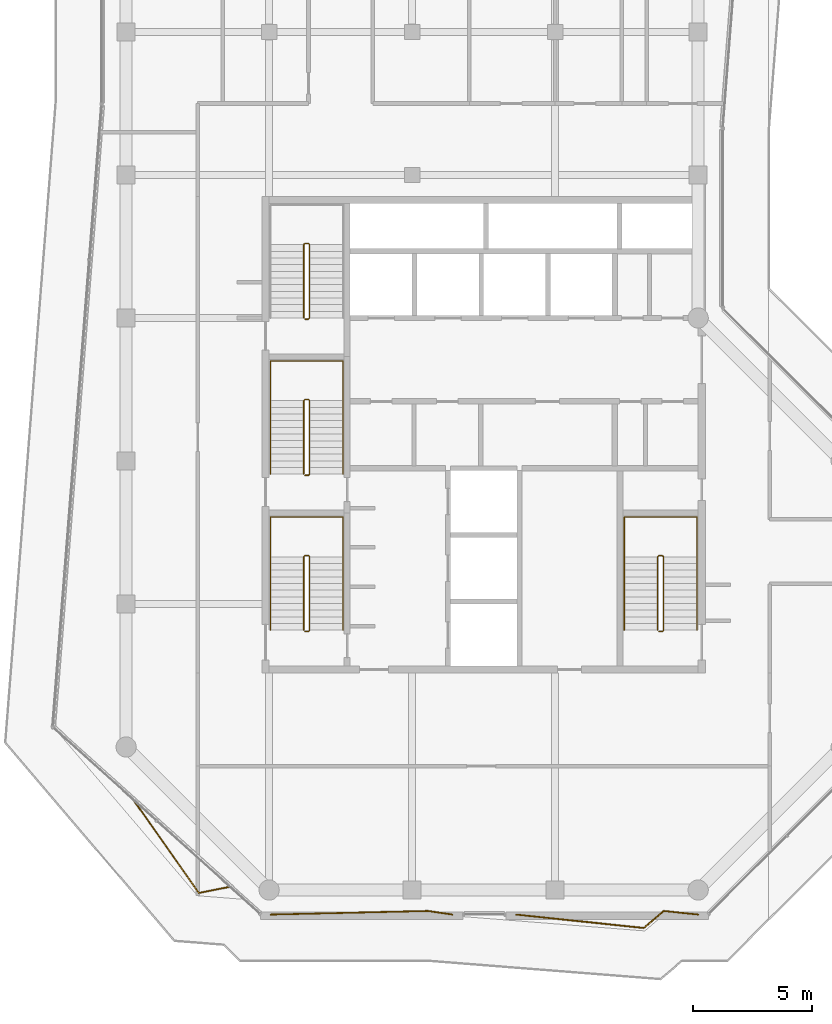
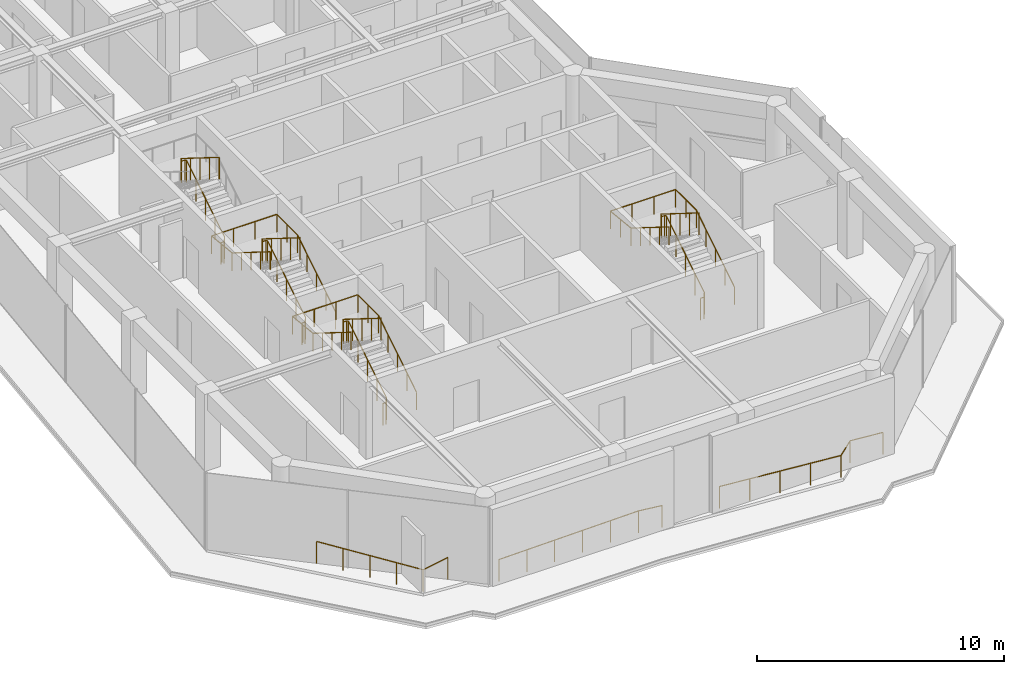
# One storey, part 21 of 22: 10 railings.
"""IFC4 building model written with IfcOpenShell, lengths in metres."""

from ifc_helpers import new_model, si_unit, direction, frame, origin, origin_2d, place, context, subcontext, project, spatial, circle, extrude, material, type_object, element, save


model = new_model("IFC4")

# Units and contexts
model_context = context("Model", 3, precision=1e-05, world=origin(), true_north=direction((0.0, 1.0)))
body_context = subcontext(model_context, "Body", "Model", "MODEL_VIEW")
ifc_project = project(units=[si_unit("LENGTHUNIT", "METRE"), si_unit("AREAUNIT", "SQUARE_METRE"), si_unit("VOLUMEUNIT", "CUBIC_METRE"), si_unit("PLANEANGLEUNIT", "RADIAN"), si_unit("MASSUNIT", "GRAM", prefix="KILO")], contexts=[model_context])

# Site, building, storey
site_placement = place(None, origin())
site = spatial("IfcSite", under=ifc_project, at=site_placement, CompositionType="ELEMENT")
building_placement = place(site_placement, origin())
building = spatial("IfcBuilding", under=site, at=building_placement, Name="Welwitschia Terrace Campus", CompositionType="ELEMENT")
storey_placement = place(building_placement, frame((0.0, 0.0, 268.39990234375)))
storey = spatial("IfcBuildingStorey", under=building, at=storey_placement, Name="L59", CompositionType="ELEMENT", Elevation=268.39990234375)

# Railings
ifc_material_1 = material(Name="Stainless steel grade 316", Category="steel")
railing_type_1 = type_object("IfcRailingType", Name="Guard 1100", PredefinedType="GUARDRAIL", material=ifc_material_1)
railing_1_placement = place(storey_placement, frame((4.349609375, -3.867431640625, 0.0)))
element("IfcRailing", 1, at=railing_1_placement, inside=storey, type_object=railing_type_1, Name="Guard floor edge L59.1", PredefinedType="GUARDRAIL", context=body_context, shape_type="SweptSolid", body=[
    extrude(circle(Radius=0.02392578125, at=origin_2d()), frame((0.0, 0.0, 1.076171875), z_axis=(-0.981137142736, -0.193312977174, 0.0), x_axis=(0.193312977174, -0.981137142736, 0.0)), (0.0, 0.0, 1.0), 1.323486328125),
    extrude(circle(Radius=0.02392578125, at=origin_2d()), frame((-1.298583984375, -0.255859375, 1.076171875), z_axis=(-0.575272240277, 0.817962009855, 0.0), x_axis=(-0.817962009855, -0.575272240277, 0.0)), (0.0, 0.0, 1.0), 4.75830078125),
    extrude(circle(Radius=0.02099609375, at=origin_2d()), origin(), (0.0, 0.0, 1.0), 1.052001953125),
    extrude(circle(Radius=0.02099609375, at=origin_2d()), frame((-1.298583984375, -0.255859375, 0.0)), (0.0, 0.0, 1.0), 1.052001953125),
    extrude(circle(Radius=0.02099609375, at=origin_2d()), frame((-1.98291015625, 0.71728515625, 0.0)), (0.0, 0.0, 1.0), 1.052001953125),
    extrude(circle(Radius=0.02099609375, at=origin_2d()), frame((-2.667236328125, 1.690185546875, 0.0)), (0.0, 0.0, 1.0), 1.052001953125),
    extrude(circle(Radius=0.02099609375, at=origin_2d()), frame((-3.3515625, 2.6630859375, 0.0)), (0.0, 0.0, 1.0), 1.052001953125),
    extrude(circle(Radius=0.02099609375, at=origin_2d()), frame((-4.035888671875, 3.63623046875, 0.0)), (0.0, 0.0, 1.0), 1.052001953125),
])
railing_2_placement = place(storey_placement, frame((13.689208984375, -5.030029296875, 0.0)))
element("IfcRailing", 2, at=railing_2_placement, inside=storey, type_object=railing_type_1, Name="Guard floor edge L59.2", PredefinedType="GUARDRAIL", context=body_context, shape_type="SweptSolid", body=[
    extrude(circle(Radius=0.02392578125, at=origin_2d()), frame((0.0, 0.0, 1.076171875), z_axis=(-0.989404064902, 0.145188141235, 0.0), x_axis=(-0.145188141235, -0.989404064902, 0.0)), (0.0, 0.0, 1.0), 1.0341796875),
    extrude(circle(Radius=0.02392578125, at=origin_2d()), frame((-1.023193359375, 0.150146484375, 1.076171875), z_axis=(-0.999741491879, -0.022736521615, 0.0), x_axis=(0.022736521615, -0.999741491879, 0.0)), (0.0, 0.0, 1.0), 6.603759765625),
    extrude(circle(Radius=0.02099609375, at=origin_2d()), origin(), (0.0, 0.0, 1.0), 1.052001953125),
    extrude(circle(Radius=0.02099609375, at=origin_2d()), frame((-1.023193359375, 0.150146484375, 0.0)), (0.0, 0.0, 1.0), 1.052001953125),
    extrude(circle(Radius=0.02099609375, at=origin_2d()), frame((-2.343505859375, 0.1201171875, 0.0)), (0.0, 0.0, 1.0), 1.052001953125),
    extrude(circle(Radius=0.02099609375, at=origin_2d()), frame((-3.6640625, 0.090087890625, 0.0)), (0.0, 0.0, 1.0), 1.052001953125),
    extrude(circle(Radius=0.02099609375, at=origin_2d()), frame((-4.984375, 0.06005859375, 0.0)), (0.0, 0.0, 1.0), 1.052001953125),
    extrude(circle(Radius=0.02099609375, at=origin_2d()), frame((-6.304931640625, 0.030029296875, 0.0)), (0.0, 0.0, 1.0), 1.052001953125),
    extrude(circle(Radius=0.02099609375, at=origin_2d()), frame((-7.625244140625, 0.0, 0.0)), (0.0, 0.0, 1.0), 1.052001953125),
])
railing_3_placement = place(storey_placement, frame((24.0029296875, -5.030029296875, 0.0)))
element("IfcRailing", 3, at=railing_3_placement, inside=storey, type_object=railing_type_1, Name="Guard floor edge L59.4", PredefinedType="GUARDRAIL", context=body_context, shape_type="SweptSolid", body=[
    extrude(circle(Radius=0.02392578125, at=origin_2d()), frame((0.0, 0.0, 1.076171875), z_axis=(-0.994652604012, 0.103277283719, 0.0), x_axis=(-0.103277283719, -0.994652604012, 0.0)), (0.0, 0.0, 1.0), 1.453857421875),
    extrude(circle(Radius=0.02392578125, at=origin_2d()), frame((-1.446044921875, 0.150146484375, 1.076171875), z_axis=(-0.76032332533, -0.649544795191, 0.0), x_axis=(0.649544795191, -0.76032332533, 0.0)), (0.0, 0.0, 1.0), 1.097412109375),
    extrude(circle(Radius=0.02392578125, at=origin_2d()), frame((-2.280517578125, -0.562744140625, 1.076171875), z_axis=(-0.99453790908, 0.104375990549, 0.0), x_axis=(-0.104375990549, -0.99453790908, 0.0)), (0.0, 0.0, 1.0), 5.3916015625),
    extrude(circle(Radius=0.02099609375, at=origin_2d()), origin(), (0.0, 0.0, 1.0), 1.052001953125),
    extrude(circle(Radius=0.02099609375, at=origin_2d()), frame((-1.446044921875, 0.150146484375, 0.0)), (0.0, 0.0, 1.0), 1.052001953125),
    extrude(circle(Radius=0.02099609375, at=origin_2d()), frame((-2.280517578125, -0.562744140625, 0.0)), (0.0, 0.0, 1.0), 1.052001953125),
    extrude(circle(Radius=0.02099609375, at=origin_2d()), frame((-3.62109375, -0.422119140625, 0.0)), (0.0, 0.0, 1.0), 1.052001953125),
    extrude(circle(Radius=0.02099609375, at=origin_2d()), frame((-4.96142578125, -0.28125, 0.0)), (0.0, 0.0, 1.0), 1.052001953125),
    extrude(circle(Radius=0.02099609375, at=origin_2d()), frame((-6.302001953125, -0.140625, 0.0)), (0.0, 0.0, 1.0), 1.052001953125),
    extrude(circle(Radius=0.02099609375, at=origin_2d()), frame((-7.642578125, 0.0, 0.0)), (0.0, 0.0, 1.0), 1.052001953125),
])
ifc_material_2 = material(Name="Steel S355", Category="steel")
railing_type_2 = type_object("IfcRailingType", Name="Stair guard 1100", PredefinedType="GUARDRAIL", material=ifc_material_2)
railing_4_placement = place(storey_placement, frame((7.5, 6.85009765625, 0.0)))
element("IfcRailing", 4, at=railing_4_placement, inside=storey, type_object=railing_type_2, Name="L59 S1 stair guard", PredefinedType="GUARDRAIL", context=body_context, shape_type="SweptSolid", body=[
    extrude(circle(Radius=0.02392578125, at=origin_2d()), frame((0.0, 0.0, 1.076171875), z_axis=(1.0, 0.0, 0.0), x_axis=(0.0, 1.0, 0.0)), (0.0, 0.0, 1.0), 0.14990234375),
    extrude(circle(Radius=0.02392578125, at=origin_2d()), frame((0.14990234375, 0.0, 1.076171875), z_axis=(0.265155923931, 0.263862480399, 0.927399011991), x_axis=(-0.705375805398, 0.708833529934, 0.0)), (0.0, 0.0, 1.0), 0.188720703125),
    extrude(circle(Radius=0.02392578125, at=origin_2d()), frame((0.199951171875, 0.0498046875, 1.2509765625), z_axis=(0.0, 0.847998304005, 0.529998940003), x_axis=(-1.0, 0.0, 0.0)), (0.0, 0.0, 1.0), 3.632080078125),
    extrude(circle(Radius=0.02392578125, at=origin_2d()), frame((0.199951171875, 3.1298828125, 3.17626953125), z_axis=(-0.707106781187, 0.707106781187, 0.0), x_axis=(-0.707106781187, -0.707106781187, 0.0)), (0.0, 0.0, 1.0), 0.07080078125),
    extrude(circle(Radius=0.02392578125, at=origin_2d()), frame((0.14990234375, 3.179931640625, 3.17626953125), z_axis=(-1.0, 0.0, 0.0), x_axis=(0.0, -1.0, 0.0)), (0.0, 0.0, 1.0), 0.14990234375),
    extrude(circle(Radius=0.02392578125, at=origin_2d()), frame((0.0, 3.179931640625, 3.17626953125), z_axis=(-0.265065253269, -0.265065253269, 0.927081885822), x_axis=(0.707106781187, -0.707106781187, 0.0)), (0.0, 0.0, 1.0), 0.188720703125),
    extrude(circle(Radius=0.02392578125, at=origin_2d()), frame((-0.050048828125, 3.1298828125, 3.35107421875), z_axis=(0.0, -0.847998304005, 0.529998940003), x_axis=(1.0, 0.0, 0.0)), (0.0, 0.0, 1.0), 3.632080078125),
    extrude(circle(Radius=0.02099609375, at=origin_2d()), origin(), (0.0, 0.0, 1.0), 1.052001953125),
    extrude(circle(Radius=0.02099609375, at=origin_2d()), frame((0.14990234375, 0.0, 0.0)), (0.0, 0.0, 1.0), 1.052001953125),
    extrude(circle(Radius=0.02099609375, at=origin_2d()), frame((0.199951171875, 0.0498046875, 0.175048828125)), (0.0, 0.0, 1.0), 1.052001953125),
    extrude(circle(Radius=0.02099609375, at=origin_2d()), frame((0.199951171875, 0.81982421875, 0.65625)), (0.0, 0.0, 1.0), 1.052001953125),
    extrude(circle(Radius=0.02099609375, at=origin_2d()), frame((0.199951171875, 1.58984375, 1.1376953125)), (0.0, 0.0, 1.0), 1.052001953125),
    extrude(circle(Radius=0.02099609375, at=origin_2d()), frame((0.199951171875, 2.35986328125, 1.618896484375)), (0.0, 0.0, 1.0), 1.052001953125),
    extrude(circle(Radius=0.02099609375, at=origin_2d()), frame((0.199951171875, 3.1298828125, 2.10009765625)), (0.0, 0.0, 1.0), 1.052001953125),
    extrude(circle(Radius=0.02099609375, at=origin_2d()), frame((0.14990234375, 3.179931640625, 2.10009765625)), (0.0, 0.0, 1.0), 1.052001953125),
    extrude(circle(Radius=0.02099609375, at=origin_2d()), frame((0.0, 3.179931640625, 2.10009765625)), (0.0, 0.0, 1.0), 1.052001953125),
    extrude(circle(Radius=0.02099609375, at=origin_2d()), frame((-0.050048828125, 3.1298828125, 2.275146484375)), (0.0, 0.0, 1.0), 1.052001953125),
    extrude(circle(Radius=0.02099609375, at=origin_2d()), frame((-0.050048828125, 2.35986328125, 2.75634765625)), (0.0, 0.0, 1.0), 1.052001953125),
    extrude(circle(Radius=0.02099609375, at=origin_2d()), frame((-0.050048828125, 1.58984375, 3.23779296875)), (0.0, 0.0, 1.0), 1.052001953125),
    extrude(circle(Radius=0.02099609375, at=origin_2d()), frame((-0.050048828125, 0.81982421875, 3.718994140625)), (0.0, 0.0, 1.0), 1.052001953125),
    extrude(circle(Radius=0.02099609375, at=origin_2d()), frame((-0.050048828125, 0.0498046875, 4.2001953125)), (0.0, 0.0, 1.0), 1.052001953125),
])
railing_5_placement = place(storey_placement, frame((7.5, 13.39990234375, 0.0)))
element("IfcRailing", 5, at=railing_5_placement, inside=storey, type_object=railing_type_2, Name="L59 S3 stair guard", PredefinedType="GUARDRAIL", context=body_context, shape_type="SweptSolid", body=[
    extrude(circle(Radius=0.02392578125, at=origin_2d()), frame((0.0, 0.0, 1.076171875), z_axis=(1.0, 0.0, 0.0), x_axis=(0.0, 1.0, 0.0)), (0.0, 0.0, 1.0), 0.14990234375),
    extrude(circle(Radius=0.02392578125, at=origin_2d()), frame((0.14990234375, 0.0, 1.076171875), z_axis=(0.265065253269, 0.265065253269, 0.927081885822), x_axis=(-0.707106781187, 0.707106781187, 0.0)), (0.0, 0.0, 1.0), 0.188720703125),
    extrude(circle(Radius=0.02392578125, at=origin_2d()), frame((0.199951171875, 0.050048828125, 1.2509765625), z_axis=(0.0, 0.847998304005, 0.529998940003), x_axis=(-1.0, 0.0, 0.0)), (0.0, 0.0, 1.0), 3.632080078125),
    extrude(circle(Radius=0.02392578125, at=origin_2d()), frame((0.199951171875, 3.130126953125, 3.17626953125), z_axis=(-0.707106781187, 0.707106781187, 0.0), x_axis=(-0.707106781187, -0.707106781187, 0.0)), (0.0, 0.0, 1.0), 0.07080078125),
    extrude(circle(Radius=0.02392578125, at=origin_2d()), frame((0.14990234375, 3.18017578125, 3.17626953125), z_axis=(-1.0, 0.0, 0.0), x_axis=(0.0, -1.0, 0.0)), (0.0, 0.0, 1.0), 0.14990234375),
    extrude(circle(Radius=0.02392578125, at=origin_2d()), frame((0.0, 3.18017578125, 3.17626953125), z_axis=(-0.265065253269, -0.265065253269, 0.927081885822), x_axis=(0.707106781187, -0.707106781187, 0.0)), (0.0, 0.0, 1.0), 0.188720703125),
    extrude(circle(Radius=0.02392578125, at=origin_2d()), frame((-0.050048828125, 3.130126953125, 3.35107421875), z_axis=(0.0, -0.847998304005, 0.529998940003), x_axis=(1.0, 0.0, 0.0)), (0.0, 0.0, 1.0), 3.632080078125),
    extrude(circle(Radius=0.02099609375, at=origin_2d()), origin(), (0.0, 0.0, 1.0), 1.052001953125),
    extrude(circle(Radius=0.02099609375, at=origin_2d()), frame((0.14990234375, 0.0, 0.0)), (0.0, 0.0, 1.0), 1.052001953125),
    extrude(circle(Radius=0.02099609375, at=origin_2d()), frame((0.199951171875, 0.050048828125, 0.175048828125)), (0.0, 0.0, 1.0), 1.052001953125),
    extrude(circle(Radius=0.02099609375, at=origin_2d()), frame((0.199951171875, 0.820068359375, 0.65625)), (0.0, 0.0, 1.0), 1.052001953125),
    extrude(circle(Radius=0.02099609375, at=origin_2d()), frame((0.199951171875, 1.590087890625, 1.1376953125)), (0.0, 0.0, 1.0), 1.052001953125),
    extrude(circle(Radius=0.02099609375, at=origin_2d()), frame((0.199951171875, 2.360107421875, 1.618896484375)), (0.0, 0.0, 1.0), 1.052001953125),
    extrude(circle(Radius=0.02099609375, at=origin_2d()), frame((0.199951171875, 3.130126953125, 2.10009765625)), (0.0, 0.0, 1.0), 1.052001953125),
    extrude(circle(Radius=0.02099609375, at=origin_2d()), frame((0.14990234375, 3.18017578125, 2.10009765625)), (0.0, 0.0, 1.0), 1.052001953125),
    extrude(circle(Radius=0.02099609375, at=origin_2d()), frame((0.0, 3.18017578125, 2.10009765625)), (0.0, 0.0, 1.0), 1.052001953125),
    extrude(circle(Radius=0.02099609375, at=origin_2d()), frame((-0.050048828125, 3.130126953125, 2.275146484375)), (0.0, 0.0, 1.0), 1.052001953125),
    extrude(circle(Radius=0.02099609375, at=origin_2d()), frame((-0.050048828125, 2.360107421875, 2.75634765625)), (0.0, 0.0, 1.0), 1.052001953125),
    extrude(circle(Radius=0.02099609375, at=origin_2d()), frame((-0.050048828125, 1.590087890625, 3.23779296875)), (0.0, 0.0, 1.0), 1.052001953125),
    extrude(circle(Radius=0.02099609375, at=origin_2d()), frame((-0.050048828125, 0.820068359375, 3.718994140625)), (0.0, 0.0, 1.0), 1.052001953125),
    extrude(circle(Radius=0.02099609375, at=origin_2d()), frame((-0.050048828125, 0.050048828125, 4.2001953125)), (0.0, 0.0, 1.0), 1.052001953125),
])
railing_6_placement = place(storey_placement, frame((7.5, 19.949951171875, 0.0)))
element("IfcRailing", 6, at=railing_6_placement, inside=storey, type_object=railing_type_2, Name="L59 S4 stair guard", PredefinedType="GUARDRAIL", context=body_context, shape_type="SweptSolid", body=[
    extrude(circle(Radius=0.02392578125, at=origin_2d()), frame((0.0, 0.0, 1.076171875), z_axis=(1.0, 0.0, 0.0), x_axis=(0.0, 1.0, 0.0)), (0.0, 0.0, 1.0), 0.14990234375),
    extrude(circle(Radius=0.02392578125, at=origin_2d()), frame((0.14990234375, 0.0, 1.076171875), z_axis=(0.265065253269, 0.265065253269, 0.927081885822), x_axis=(-0.707106781187, 0.707106781187, 0.0)), (0.0, 0.0, 1.0), 0.188720703125),
    extrude(circle(Radius=0.02392578125, at=origin_2d()), frame((0.199951171875, 0.050048828125, 1.2509765625), z_axis=(0.0, 0.847998304005, 0.529998940003), x_axis=(-1.0, 0.0, 0.0)), (0.0, 0.0, 1.0), 3.632080078125),
    extrude(circle(Radius=0.02392578125, at=origin_2d()), frame((0.199951171875, 3.130126953125, 3.17626953125), z_axis=(-0.708833529934, 0.705375805398, 0.0), x_axis=(-0.705375805398, -0.708833529934, 0.0)), (0.0, 0.0, 1.0), 0.070556640625),
    extrude(circle(Radius=0.02392578125, at=origin_2d()), frame((0.14990234375, 3.179931640625, 3.17626953125), z_axis=(-1.0, 0.0, 0.0), x_axis=(0.0, -1.0, 0.0)), (0.0, 0.0, 1.0), 0.14990234375),
    extrude(circle(Radius=0.02392578125, at=origin_2d()), frame((0.0, 3.179931640625, 3.17626953125), z_axis=(-0.265155923931, -0.263862480399, 0.927399011991), x_axis=(0.705375805398, -0.708833529934, 0.0)), (0.0, 0.0, 1.0), 0.188720703125),
    extrude(circle(Radius=0.02392578125, at=origin_2d()), frame((-0.050048828125, 3.130126953125, 3.35107421875), z_axis=(0.0, -0.847998304005, 0.529998940003), x_axis=(1.0, 0.0, 0.0)), (0.0, 0.0, 1.0), 3.632080078125),
    extrude(circle(Radius=0.02099609375, at=origin_2d()), origin(), (0.0, 0.0, 1.0), 1.052001953125),
    extrude(circle(Radius=0.02099609375, at=origin_2d()), frame((0.14990234375, 0.0, 0.0)), (0.0, 0.0, 1.0), 1.052001953125),
    extrude(circle(Radius=0.02099609375, at=origin_2d()), frame((0.199951171875, 0.050048828125, 0.175048828125)), (0.0, 0.0, 1.0), 1.052001953125),
    extrude(circle(Radius=0.02099609375, at=origin_2d()), frame((0.199951171875, 0.820068359375, 0.65625)), (0.0, 0.0, 1.0), 1.052001953125),
    extrude(circle(Radius=0.02099609375, at=origin_2d()), frame((0.199951171875, 1.590087890625, 1.1376953125)), (0.0, 0.0, 1.0), 1.052001953125),
    extrude(circle(Radius=0.02099609375, at=origin_2d()), frame((0.199951171875, 2.360107421875, 1.618896484375)), (0.0, 0.0, 1.0), 1.052001953125),
    extrude(circle(Radius=0.02099609375, at=origin_2d()), frame((0.199951171875, 3.130126953125, 2.10009765625)), (0.0, 0.0, 1.0), 1.052001953125),
    extrude(circle(Radius=0.02099609375, at=origin_2d()), frame((0.14990234375, 3.179931640625, 2.10009765625)), (0.0, 0.0, 1.0), 1.052001953125),
    extrude(circle(Radius=0.02099609375, at=origin_2d()), frame((0.0, 3.179931640625, 2.10009765625)), (0.0, 0.0, 1.0), 1.052001953125),
    extrude(circle(Radius=0.02099609375, at=origin_2d()), frame((-0.050048828125, 3.130126953125, 2.275146484375)), (0.0, 0.0, 1.0), 1.052001953125),
    extrude(circle(Radius=0.02099609375, at=origin_2d()), frame((-0.050048828125, 2.360107421875, 2.75634765625)), (0.0, 0.0, 1.0), 1.052001953125),
    extrude(circle(Radius=0.02099609375, at=origin_2d()), frame((-0.050048828125, 1.590087890625, 3.23779296875)), (0.0, 0.0, 1.0), 1.052001953125),
    extrude(circle(Radius=0.02099609375, at=origin_2d()), frame((-0.050048828125, 0.820068359375, 3.718994140625)), (0.0, 0.0, 1.0), 1.052001953125),
    extrude(circle(Radius=0.02099609375, at=origin_2d()), frame((-0.050048828125, 0.050048828125, 4.2001953125)), (0.0, 0.0, 1.0), 1.052001953125),
])
railing_7_placement = place(storey_placement, frame((22.35009765625, 6.85009765625, 0.0)))
element("IfcRailing", 7, at=railing_7_placement, inside=storey, type_object=railing_type_2, Name="L59 S2 stair guard", PredefinedType="GUARDRAIL", context=body_context, shape_type="SweptSolid", body=[
    extrude(circle(Radius=0.02392578125, at=origin_2d()), frame((0.0, 0.0, 1.076171875), z_axis=(1.0, 0.0, 0.0), x_axis=(0.0, 1.0, 0.0)), (0.0, 0.0, 1.0), 0.14990234375),
    extrude(circle(Radius=0.02392578125, at=origin_2d()), frame((0.14990234375, 0.0, 1.076171875), z_axis=(0.265155923931, 0.263862480399, 0.927399011991), x_axis=(-0.705375805398, 0.708833529934, 0.0)), (0.0, 0.0, 1.0), 0.188720703125),
    extrude(circle(Radius=0.02392578125, at=origin_2d()), frame((0.199951171875, 0.0498046875, 1.2509765625), z_axis=(0.0, 0.847998304005, 0.529998940003), x_axis=(-1.0, 0.0, 0.0)), (0.0, 0.0, 1.0), 3.632080078125),
    extrude(circle(Radius=0.02392578125, at=origin_2d()), frame((0.199951171875, 3.1298828125, 3.17626953125), z_axis=(-0.707106781187, 0.707106781187, 0.0), x_axis=(-0.707106781187, -0.707106781187, 0.0)), (0.0, 0.0, 1.0), 0.07080078125),
    extrude(circle(Radius=0.02392578125, at=origin_2d()), frame((0.14990234375, 3.179931640625, 3.17626953125), z_axis=(-1.0, 0.0, 0.0), x_axis=(0.0, -1.0, 0.0)), (0.0, 0.0, 1.0), 0.14990234375),
    extrude(circle(Radius=0.02392578125, at=origin_2d()), frame((0.0, 3.179931640625, 3.17626953125), z_axis=(-0.265065253269, -0.265065253269, 0.927081885822), x_axis=(0.707106781187, -0.707106781187, 0.0)), (0.0, 0.0, 1.0), 0.188720703125),
    extrude(circle(Radius=0.02392578125, at=origin_2d()), frame((-0.050048828125, 3.1298828125, 3.35107421875), z_axis=(0.0, -0.847998304005, 0.529998940003), x_axis=(1.0, 0.0, 0.0)), (0.0, 0.0, 1.0), 3.632080078125),
    extrude(circle(Radius=0.02099609375, at=origin_2d()), origin(), (0.0, 0.0, 1.0), 1.052001953125),
    extrude(circle(Radius=0.02099609375, at=origin_2d()), frame((0.14990234375, 0.0, 0.0)), (0.0, 0.0, 1.0), 1.052001953125),
    extrude(circle(Radius=0.02099609375, at=origin_2d()), frame((0.199951171875, 0.0498046875, 0.175048828125)), (0.0, 0.0, 1.0), 1.052001953125),
    extrude(circle(Radius=0.02099609375, at=origin_2d()), frame((0.199951171875, 0.81982421875, 0.65625)), (0.0, 0.0, 1.0), 1.052001953125),
    extrude(circle(Radius=0.02099609375, at=origin_2d()), frame((0.199951171875, 1.58984375, 1.1376953125)), (0.0, 0.0, 1.0), 1.052001953125),
    extrude(circle(Radius=0.02099609375, at=origin_2d()), frame((0.199951171875, 2.35986328125, 1.618896484375)), (0.0, 0.0, 1.0), 1.052001953125),
    extrude(circle(Radius=0.02099609375, at=origin_2d()), frame((0.199951171875, 3.1298828125, 2.10009765625)), (0.0, 0.0, 1.0), 1.052001953125),
    extrude(circle(Radius=0.02099609375, at=origin_2d()), frame((0.14990234375, 3.179931640625, 2.10009765625)), (0.0, 0.0, 1.0), 1.052001953125),
    extrude(circle(Radius=0.02099609375, at=origin_2d()), frame((0.0, 3.179931640625, 2.10009765625)), (0.0, 0.0, 1.0), 1.052001953125),
    extrude(circle(Radius=0.02099609375, at=origin_2d()), frame((-0.050048828125, 3.1298828125, 2.275146484375)), (0.0, 0.0, 1.0), 1.052001953125),
    extrude(circle(Radius=0.02099609375, at=origin_2d()), frame((-0.050048828125, 2.35986328125, 2.75634765625)), (0.0, 0.0, 1.0), 1.052001953125),
    extrude(circle(Radius=0.02099609375, at=origin_2d()), frame((-0.050048828125, 1.58984375, 3.23779296875)), (0.0, 0.0, 1.0), 1.052001953125),
    extrude(circle(Radius=0.02099609375, at=origin_2d()), frame((-0.050048828125, 0.81982421875, 3.718994140625)), (0.0, 0.0, 1.0), 1.052001953125),
    extrude(circle(Radius=0.02099609375, at=origin_2d()), frame((-0.050048828125, 0.0498046875, 4.2001953125)), (0.0, 0.0, 1.0), 1.052001953125),
])
ifc_material_3 = material(Name="Steel S355", Category="steel")
railing_type_3 = type_object("IfcRailingType", Name="Stair handrail 900", PredefinedType="HANDRAIL", material=ifc_material_3)
railing_8_placement = place(storey_placement, frame((9.10009765625, 6.89990234375, 0.175048828125)))
element("IfcRailing", 8, at=railing_8_placement, inside=storey, type_object=railing_type_3, Name="L59 S1 stair handrail", PredefinedType="HANDRAIL", context=body_context, shape_type="SweptSolid", body=[
    extrude(circle(Radius=0.02392578125, at=origin_2d()), frame((0.0, 0.0, 0.8759765625), z_axis=(0.0, 0.847998304005, 0.529998940003), x_axis=(-1.0, 0.0, 0.0)), (0.0, 0.0, 1.0), 3.632080078125),
    extrude(circle(Radius=0.02392578125, at=origin_2d()), frame((0.0, 3.080078125, 2.80078125), z_axis=(0.0, 1.0, 0.0), x_axis=(-1.0, 0.0, 0.0)), (0.0, 0.0, 1.0), 1.669921875),
    extrude(circle(Radius=0.02392578125, at=origin_2d()), frame((0.0, 4.75, 2.80078125), z_axis=(-1.0, 0.0, 0.0), x_axis=(0.0, -1.0, 0.0)), (0.0, 0.0, 1.0), 3.050048828125),
    extrude(circle(Radius=0.02392578125, at=origin_2d()), frame((-3.050048828125, 4.75, 2.80078125), z_axis=(0.0, -0.99455077262, 0.104253348533), x_axis=(1.0, 0.0, 0.0)), (0.0, 0.0, 1.0), 1.678955078125),
    extrude(circle(Radius=0.02392578125, at=origin_2d()), frame((-3.050048828125, 3.080078125, 2.97607421875), z_axis=(0.0, -0.847998304005, 0.529998940003), x_axis=(1.0, 0.0, 0.0)), (0.0, 0.0, 1.0), 3.632080078125),
    extrude(circle(Radius=0.02099609375, at=origin_2d()), origin(), (0.0, 0.0, 1.0), 0.851806640625),
    extrude(circle(Radius=0.02099609375, at=origin_2d()), frame((0.0, 0.77001953125, 0.481201171875)), (0.0, 0.0, 1.0), 0.851806640625),
    extrude(circle(Radius=0.02099609375, at=origin_2d()), frame((0.0, 1.5400390625, 0.96240234375)), (0.0, 0.0, 1.0), 0.851806640625),
    extrude(circle(Radius=0.02099609375, at=origin_2d()), frame((0.0, 2.31005859375, 1.44384765625)), (0.0, 0.0, 1.0), 0.851806640625),
    extrude(circle(Radius=0.02099609375, at=origin_2d()), frame((0.0, 3.080078125, 1.925048828125)), (0.0, 0.0, 1.0), 0.851806640625),
    extrude(circle(Radius=0.02099609375, at=origin_2d()), frame((0.0, 3.9150390625, 1.925048828125)), (0.0, 0.0, 1.0), 0.851806640625),
    extrude(circle(Radius=0.02099609375, at=origin_2d()), frame((0.0, 4.75, 1.925048828125)), (0.0, 0.0, 1.0), 0.851806640625),
    extrude(circle(Radius=0.02099609375, at=origin_2d()), frame((-1.0166015625, 4.75, 1.925048828125)), (0.0, 0.0, 1.0), 0.851806640625),
    extrude(circle(Radius=0.02099609375, at=origin_2d()), frame((-2.033447265625, 4.75, 1.925048828125)), (0.0, 0.0, 1.0), 0.851806640625),
    extrude(circle(Radius=0.02099609375, at=origin_2d()), frame((-3.050048828125, 4.75, 1.925048828125)), (0.0, 0.0, 1.0), 0.851806640625),
    extrude(circle(Radius=0.02099609375, at=origin_2d()), frame((-3.050048828125, 3.9150390625, 2.0126953125)), (0.0, 0.0, 1.0), 0.851806640625),
    extrude(circle(Radius=0.02099609375, at=origin_2d()), frame((-3.050048828125, 3.080078125, 2.10009765625)), (0.0, 0.0, 1.0), 0.851806640625),
    extrude(circle(Radius=0.02099609375, at=origin_2d()), frame((-3.050048828125, 2.31005859375, 2.581298828125)), (0.0, 0.0, 1.0), 0.851806640625),
    extrude(circle(Radius=0.02099609375, at=origin_2d()), frame((-3.050048828125, 1.5400390625, 3.0625)), (0.0, 0.0, 1.0), 0.851806640625),
    extrude(circle(Radius=0.02099609375, at=origin_2d()), frame((-3.050048828125, 0.77001953125, 3.5439453125)), (0.0, 0.0, 1.0), 0.851806640625),
    extrude(circle(Radius=0.02099609375, at=origin_2d()), frame((-3.050048828125, 0.0, 4.025146484375)), (0.0, 0.0, 1.0), 0.851806640625),
])
railing_9_placement = place(storey_placement, frame((9.10009765625, 13.449951171875, 0.175048828125)))
element("IfcRailing", 9, at=railing_9_placement, inside=storey, type_object=railing_type_3, Name="L59 S3 stair handrail", PredefinedType="HANDRAIL", context=body_context, shape_type="SweptSolid", body=[
    extrude(circle(Radius=0.02392578125, at=origin_2d()), frame((0.0, 0.0, 0.8759765625), z_axis=(0.0, 0.847998304005, 0.529998940003), x_axis=(-1.0, 0.0, 0.0)), (0.0, 0.0, 1.0), 3.632080078125),
    extrude(circle(Radius=0.02392578125, at=origin_2d()), frame((0.0, 3.080078125, 2.80078125), z_axis=(0.0, 1.0, 0.0), x_axis=(-1.0, 0.0, 0.0)), (0.0, 0.0, 1.0), 1.669921875),
    extrude(circle(Radius=0.02392578125, at=origin_2d()), frame((0.0, 4.75, 2.80078125), z_axis=(-1.0, 0.0, 0.0), x_axis=(0.0, -1.0, 0.0)), (0.0, 0.0, 1.0), 3.050048828125),
    extrude(circle(Radius=0.02392578125, at=origin_2d()), frame((-3.050048828125, 4.75, 2.80078125), z_axis=(0.0, -0.99455077262, 0.104253348533), x_axis=(1.0, 0.0, 0.0)), (0.0, 0.0, 1.0), 1.678955078125),
    extrude(circle(Radius=0.02392578125, at=origin_2d()), frame((-3.050048828125, 3.080078125, 2.97607421875), z_axis=(0.0, -0.847998304005, 0.529998940003), x_axis=(1.0, 0.0, 0.0)), (0.0, 0.0, 1.0), 3.632080078125),
    extrude(circle(Radius=0.02099609375, at=origin_2d()), origin(), (0.0, 0.0, 1.0), 0.851806640625),
    extrude(circle(Radius=0.02099609375, at=origin_2d()), frame((0.0, 0.77001953125, 0.481201171875)), (0.0, 0.0, 1.0), 0.851806640625),
    extrude(circle(Radius=0.02099609375, at=origin_2d()), frame((0.0, 1.5400390625, 0.96240234375)), (0.0, 0.0, 1.0), 0.851806640625),
    extrude(circle(Radius=0.02099609375, at=origin_2d()), frame((0.0, 2.31005859375, 1.44384765625)), (0.0, 0.0, 1.0), 0.851806640625),
    extrude(circle(Radius=0.02099609375, at=origin_2d()), frame((0.0, 3.080078125, 1.925048828125)), (0.0, 0.0, 1.0), 0.851806640625),
    extrude(circle(Radius=0.02099609375, at=origin_2d()), frame((0.0, 3.9150390625, 1.925048828125)), (0.0, 0.0, 1.0), 0.851806640625),
    extrude(circle(Radius=0.02099609375, at=origin_2d()), frame((0.0, 4.75, 1.925048828125)), (0.0, 0.0, 1.0), 0.851806640625),
    extrude(circle(Radius=0.02099609375, at=origin_2d()), frame((-1.0166015625, 4.75, 1.925048828125)), (0.0, 0.0, 1.0), 0.851806640625),
    extrude(circle(Radius=0.02099609375, at=origin_2d()), frame((-2.033447265625, 4.75, 1.925048828125)), (0.0, 0.0, 1.0), 0.851806640625),
    extrude(circle(Radius=0.02099609375, at=origin_2d()), frame((-3.050048828125, 4.75, 1.925048828125)), (0.0, 0.0, 1.0), 0.851806640625),
    extrude(circle(Radius=0.02099609375, at=origin_2d()), frame((-3.050048828125, 3.9150390625, 2.0126953125)), (0.0, 0.0, 1.0), 0.851806640625),
    extrude(circle(Radius=0.02099609375, at=origin_2d()), frame((-3.050048828125, 3.080078125, 2.10009765625)), (0.0, 0.0, 1.0), 0.851806640625),
    extrude(circle(Radius=0.02099609375, at=origin_2d()), frame((-3.050048828125, 2.31005859375, 2.581298828125)), (0.0, 0.0, 1.0), 0.851806640625),
    extrude(circle(Radius=0.02099609375, at=origin_2d()), frame((-3.050048828125, 1.5400390625, 3.0625)), (0.0, 0.0, 1.0), 0.851806640625),
    extrude(circle(Radius=0.02099609375, at=origin_2d()), frame((-3.050048828125, 0.77001953125, 3.5439453125)), (0.0, 0.0, 1.0), 0.851806640625),
    extrude(circle(Radius=0.02099609375, at=origin_2d()), frame((-3.050048828125, 0.0, 4.025146484375)), (0.0, 0.0, 1.0), 0.851806640625),
])
railing_10_placement = place(storey_placement, frame((23.949951171875, 6.89990234375, 0.175048828125)))
element("IfcRailing", 10, at=railing_10_placement, inside=storey, type_object=railing_type_3, Name="L59 S2 stair handrail", PredefinedType="HANDRAIL", context=body_context, shape_type="SweptSolid", body=[
    extrude(circle(Radius=0.02392578125, at=origin_2d()), frame((0.0, 0.0, 0.8759765625), z_axis=(0.0, 0.847998304005, 0.529998940003), x_axis=(-1.0, 0.0, 0.0)), (0.0, 0.0, 1.0), 3.632080078125),
    extrude(circle(Radius=0.02392578125, at=origin_2d()), frame((0.0, 3.080078125, 2.80078125), z_axis=(0.0, 1.0, 0.0), x_axis=(-1.0, 0.0, 0.0)), (0.0, 0.0, 1.0), 1.669921875),
    extrude(circle(Radius=0.02392578125, at=origin_2d()), frame((0.0, 4.75, 2.80078125), z_axis=(-1.0, 0.0, 0.0), x_axis=(0.0, -1.0, 0.0)), (0.0, 0.0, 1.0), 3.050048828125),
    extrude(circle(Radius=0.02392578125, at=origin_2d()), frame((-3.050048828125, 4.75, 2.80078125), z_axis=(0.0, -0.99455077262, 0.104253348533), x_axis=(1.0, 0.0, 0.0)), (0.0, 0.0, 1.0), 1.678955078125),
    extrude(circle(Radius=0.02392578125, at=origin_2d()), frame((-3.050048828125, 3.080078125, 2.97607421875), z_axis=(0.0, -0.847998304005, 0.529998940003), x_axis=(1.0, 0.0, 0.0)), (0.0, 0.0, 1.0), 3.632080078125),
    extrude(circle(Radius=0.02099609375, at=origin_2d()), origin(), (0.0, 0.0, 1.0), 0.851806640625),
    extrude(circle(Radius=0.02099609375, at=origin_2d()), frame((0.0, 0.77001953125, 0.481201171875)), (0.0, 0.0, 1.0), 0.851806640625),
    extrude(circle(Radius=0.02099609375, at=origin_2d()), frame((0.0, 1.5400390625, 0.96240234375)), (0.0, 0.0, 1.0), 0.851806640625),
    extrude(circle(Radius=0.02099609375, at=origin_2d()), frame((0.0, 2.31005859375, 1.44384765625)), (0.0, 0.0, 1.0), 0.851806640625),
    extrude(circle(Radius=0.02099609375, at=origin_2d()), frame((0.0, 3.080078125, 1.925048828125)), (0.0, 0.0, 1.0), 0.851806640625),
    extrude(circle(Radius=0.02099609375, at=origin_2d()), frame((0.0, 3.9150390625, 1.925048828125)), (0.0, 0.0, 1.0), 0.851806640625),
    extrude(circle(Radius=0.02099609375, at=origin_2d()), frame((0.0, 4.75, 1.925048828125)), (0.0, 0.0, 1.0), 0.851806640625),
    extrude(circle(Radius=0.02099609375, at=origin_2d()), frame((-1.0166015625, 4.75, 1.925048828125)), (0.0, 0.0, 1.0), 0.851806640625),
    extrude(circle(Radius=0.02099609375, at=origin_2d()), frame((-2.033447265625, 4.75, 1.925048828125)), (0.0, 0.0, 1.0), 0.851806640625),
    extrude(circle(Radius=0.02099609375, at=origin_2d()), frame((-3.050048828125, 4.75, 1.925048828125)), (0.0, 0.0, 1.0), 0.851806640625),
    extrude(circle(Radius=0.02099609375, at=origin_2d()), frame((-3.050048828125, 3.9150390625, 2.0126953125)), (0.0, 0.0, 1.0), 0.851806640625),
    extrude(circle(Radius=0.02099609375, at=origin_2d()), frame((-3.050048828125, 3.080078125, 2.10009765625)), (0.0, 0.0, 1.0), 0.851806640625),
    extrude(circle(Radius=0.02099609375, at=origin_2d()), frame((-3.050048828125, 2.31005859375, 2.581298828125)), (0.0, 0.0, 1.0), 0.851806640625),
    extrude(circle(Radius=0.02099609375, at=origin_2d()), frame((-3.050048828125, 1.5400390625, 3.0625)), (0.0, 0.0, 1.0), 0.851806640625),
    extrude(circle(Radius=0.02099609375, at=origin_2d()), frame((-3.050048828125, 0.77001953125, 3.5439453125)), (0.0, 0.0, 1.0), 0.851806640625),
    extrude(circle(Radius=0.02099609375, at=origin_2d()), frame((-3.050048828125, 0.0, 4.025146484375)), (0.0, 0.0, 1.0), 0.851806640625),
])

save(model, "model.ifc")
